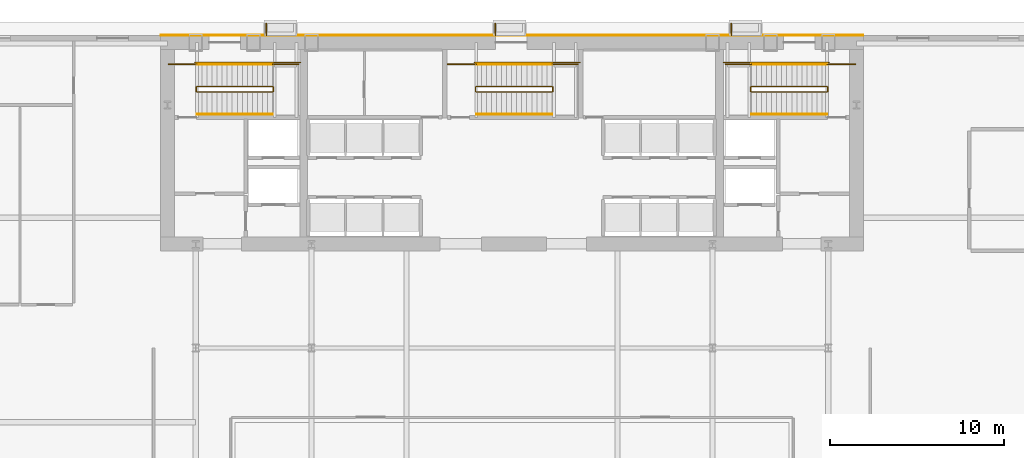
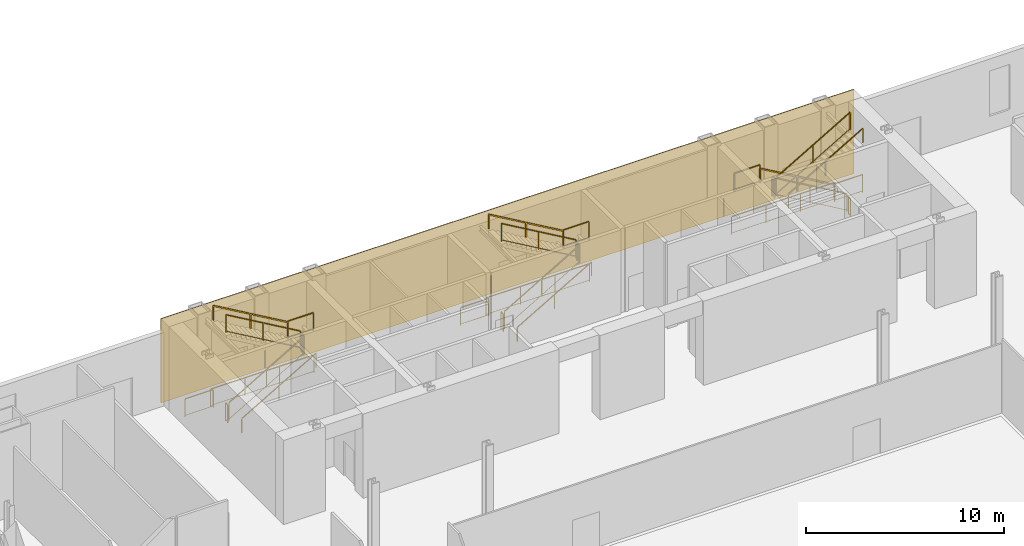
# One storey, part 14 of 16: 30 railings, 1 covering, 3 elements without a shape of their own.
"""IFC4 building model written with IfcOpenShell, lengths in metres."""

from ifc_helpers import new_model, si_unit, direction, frame, origin, origin_2d, place, context, subcontext, project, spatial, polyline, rectangle, outline, extrude, material, layer, layer_set, type_object, element, aggregate, save


model = new_model("IFC4")

# Units and contexts
model_context = context("Model", 3, precision=1e-05, world=origin(), true_north=direction((0.0, 1.0)))
body_context = subcontext(model_context, "Body", "Model", "MODEL_VIEW")
ifc_project = project(units=[si_unit("LENGTHUNIT", "METRE"), si_unit("AREAUNIT", "SQUARE_METRE"), si_unit("VOLUMEUNIT", "CUBIC_METRE"), si_unit("PLANEANGLEUNIT", "RADIAN"), si_unit("MASSUNIT", "GRAM", prefix="KILO")], contexts=[model_context])

# Site, building, storey
site_placement = place(None, origin())
site = spatial("IfcSite", under=ifc_project, at=site_placement, CompositionType="ELEMENT")
building_placement = place(site_placement, origin())
building = spatial("IfcBuilding", under=site, at=building_placement, Name="Khoronbel Lancet Exchange", CompositionType="ELEMENT")
storey_placement = place(building_placement, origin())
storey = spatial("IfcBuildingStorey", under=building, at=storey_placement, Name="L00", CompositionType="ELEMENT", Elevation=0.0)

# Covering
ifc_material_1 = material(Name="Honed Egyptian Limestone & Bronze Rainscreen", Category="masonry")
ifc_layer = layer(ifc_material_1, 0.050048828125, Name="Honed Egyptian Limestone & Bronze Rainscreen")
ifc_layer_set = layer_set([ifc_layer], Name="Honed Egyptian Limestone & Bronze Rainscreen")
covering_type = type_object("IfcCoveringType", Name="COV-CLAD1", PredefinedType="CLADDING", material=ifc_layer_set)
covering_placement = place(storey_placement, origin())
element("IfcCovering", 1, at=covering_placement, inside=storey, type_object=covering_type, Name="Level L00 north rear-core stone and bronze rainscreen cladding", PredefinedType="CLADDING", context=body_context, shape_type="SweptSolid", body=[
    extrude(outline(polyline([(16.199951171875, 53.699951171875), (56.699951171875, 53.699951171875), (56.699951171875, 53.75), (16.199951171875, 53.75), (16.199951171875, 53.699951171875)])), origin(), (0.0, 0.0, 1.0), 5.199951171875),
])

# Ramp, railing
ifc_material_2 = material(Name="Concrete C40/50", Category="concrete")
ramp_type = type_object("IfcRampType", Name="RMP-PED", PredefinedType="STRAIGHT_RUN_RAMP", material=ifc_material_2)
ramp_1_placement = place(storey_placement, origin())
ramp_1 = element("IfcRamp", 2, at=ramp_1_placement, inside=storey, type_object=ramp_type, Name="Plaza step-free accessible entrance ramp R4", PredefinedType="STRAIGHT_RUN_RAMP")
ifc_material_3 = material(Name="Bronze-Anodised Stainless Steel", Category="steel")
railing_type_1 = type_object("IfcRailingType", Name="RL-EXT115", PredefinedType="GUARDRAIL", material=ifc_material_3)
railing_1_placement = place(storey_placement, frame((22.280029296875, 54.39990234375, -0.06005859375)))
railing_1 = element("IfcRailing", 3, at=railing_1_placement, type_object=railing_type_1, Name="Plaza accessible ramp guardrail R4", PredefinedType="GUARDRAIL", context=body_context, shape_type="SweptSolid", body=[
    extrude(rectangle(XDim=0.052001953125, YDim=0.052001953125, at=origin_2d()), frame((0.0, 0.0, 1.1240234375), z_axis=(0.0, -0.996339041339, 0.085489851472), x_axis=(1.0, 0.0, 0.0)), (0.0, 0.0, 1.0), 0.70263671875),
    extrude(rectangle(XDim=0.02587890625, YDim=0.02587890625, at=origin_2d()), frame((0.0, 0.0, 0.080078125), z_axis=(0.0, -0.996339041339, 0.085489851472), x_axis=(1.0, 0.0, 0.0)), (0.0, 0.0, 1.0), 0.70263671875),
    extrude(rectangle(XDim=0.0419921875, YDim=0.0419921875, at=origin_2d()), origin(), (0.0, 0.0, 1.0), 1.097900390625),
    extrude(rectangle(XDim=0.0419921875, YDim=0.0419921875, at=origin_2d()), frame((0.0, -0.699951171875, 0.06005859375)), (0.0, 0.0, 1.0), 1.097900390625),
])
aggregate(ramp_1, [railing_1])

ramp_2_placement = place(storey_placement, origin())
ramp_2 = element("IfcRamp", 4, at=ramp_2_placement, inside=storey, type_object=ramp_type, Name="Plaza step-free accessible entrance ramp R5", PredefinedType="STRAIGHT_RUN_RAMP")
railing_2_placement = place(storey_placement, frame((35.47998046875, 54.39990234375, -0.06005859375)))
railing_2 = element("IfcRailing", 5, at=railing_2_placement, type_object=railing_type_1, Name="Plaza accessible ramp guardrail R5", PredefinedType="GUARDRAIL", context=body_context, shape_type="SweptSolid", body=[
    extrude(rectangle(XDim=0.052001953125, YDim=0.052001953125, at=origin_2d()), frame((0.0, 0.0, 1.1240234375), z_axis=(0.0, -0.996339041339, 0.085489851472), x_axis=(1.0, 0.0, 0.0)), (0.0, 0.0, 1.0), 0.70263671875),
    extrude(rectangle(XDim=0.02587890625, YDim=0.02587890625, at=origin_2d()), frame((0.0, 0.0, 0.080078125), z_axis=(0.0, -0.996339041339, 0.085489851472), x_axis=(1.0, 0.0, 0.0)), (0.0, 0.0, 1.0), 0.70263671875),
    extrude(rectangle(XDim=0.0419921875, YDim=0.0419921875, at=origin_2d()), origin(), (0.0, 0.0, 1.0), 1.097900390625),
    extrude(rectangle(XDim=0.0419921875, YDim=0.0419921875, at=origin_2d()), frame((0.0, -0.699951171875, 0.06005859375)), (0.0, 0.0, 1.0), 1.097900390625),
])
aggregate(ramp_2, [railing_2])

ramp_3_placement = place(storey_placement, origin())
ramp_3 = element("IfcRamp", 6, at=ramp_3_placement, inside=storey, type_object=ramp_type, Name="Plaza step-free accessible entrance ramp R6", PredefinedType="STRAIGHT_RUN_RAMP")
railing_3_placement = place(storey_placement, frame((49.080078125, 54.39990234375, -0.06005859375)))
railing_3 = element("IfcRailing", 7, at=railing_3_placement, type_object=railing_type_1, Name="Plaza accessible ramp guardrail R6", PredefinedType="GUARDRAIL", context=body_context, shape_type="SweptSolid", body=[
    extrude(rectangle(XDim=0.052001953125, YDim=0.052001953125, at=origin_2d()), frame((0.0, 0.0, 1.1240234375), z_axis=(0.0, -0.996339041339, 0.085489851472), x_axis=(1.0, 0.0, 0.0)), (0.0, 0.0, 1.0), 0.70263671875),
    extrude(rectangle(XDim=0.02587890625, YDim=0.02587890625, at=origin_2d()), frame((0.0, 0.0, 0.080078125), z_axis=(0.0, -0.996339041339, 0.085489851472), x_axis=(1.0, 0.0, 0.0)), (0.0, 0.0, 1.0), 0.70263671875),
    extrude(rectangle(XDim=0.0419921875, YDim=0.0419921875, at=origin_2d()), origin(), (0.0, 0.0, 1.0), 1.097900390625),
    extrude(rectangle(XDim=0.0419921875, YDim=0.0419921875, at=origin_2d()), frame((0.0, -0.699951171875, 0.06005859375)), (0.0, 0.0, 1.0), 1.097900390625),
])
aggregate(ramp_3, [railing_3])

# Railings
ifc_material_4 = material(Name="Painted Steel Balustrade", Category="steel")
railing_type_2 = type_object("IfcRailingType", Name="RL-STG110", PredefinedType="GUARDRAIL", material=ifc_material_4)
railing_4_placement = place(storey_placement, frame((18.300048828125, 50.449951171875, 0.168701171875)))
element("IfcRailing", 8, at=railing_4_placement, inside=storey, type_object=railing_type_2, Name="L00 ST1 stair guard 1", PredefinedType="GUARDRAIL", context=body_context, shape_type="SweptSolid", body=[
    extrude(rectangle(XDim=0.048095703125, YDim=0.048095703125, at=origin_2d()), frame((0.0, 0.0, 1.09619140625), z_axis=(0.864311530196, 0.0, 0.502956835891), x_axis=(0.0, 1.0, 0.0)), (0.0, 0.0, 1.0), 5.03271484375),
    extrude(rectangle(XDim=0.02392578125, YDim=0.02392578125, at=origin_2d()), frame((0.0, 0.0, 0.080078125), z_axis=(0.864311530196, 0.0, 0.502956835891), x_axis=(0.0, 1.0, 0.0)), (0.0, 0.0, 1.0), 5.03271484375),
    extrude(rectangle(XDim=0.0419921875, YDim=0.0419921875, at=origin_2d()), origin(), (0.0, 0.0, 1.0), 1.072021484375),
    extrude(rectangle(XDim=0.0419921875, YDim=0.0419921875, at=origin_2d()), frame((2.1748046875, 0.0, 1.265625)), (0.0, 0.0, 1.0), 1.072021484375),
    extrude(rectangle(XDim=0.0419921875, YDim=0.0419921875, at=origin_2d()), frame((4.349853515625, 0.0, 2.53125)), (0.0, 0.0, 1.0), 1.072021484375),
])
railing_5_placement = place(storey_placement, frame((22.699951171875, 50.5, 2.699951171875)))
element("IfcRailing", 9, at=railing_5_placement, inside=storey, type_object=railing_type_2, Name="L00 ST1 stair guard 2", PredefinedType="GUARDRAIL", context=body_context, shape_type="SweptSolid", body=[
    extrude(rectangle(XDim=0.048095703125, YDim=0.048095703125, at=origin_2d()), frame((0.0, 0.0, 1.09619140625), z_axis=(0.0, 1.0, 0.0), x_axis=(-1.0, 0.0, 0.0)), (0.0, 0.0, 1.0), 0.219970703125),
    extrude(rectangle(XDim=0.02392578125, YDim=0.02392578125, at=origin_2d()), frame((0.0, 0.0, 0.080078125), z_axis=(0.0, 1.0, 0.0), x_axis=(-1.0, 0.0, 0.0)), (0.0, 0.0, 1.0), 0.219970703125),
    extrude(rectangle(XDim=0.0419921875, YDim=0.0419921875, at=origin_2d()), origin(), (0.0, 0.0, 1.0), 1.072021484375),
    extrude(rectangle(XDim=0.0419921875, YDim=0.0419921875, at=origin_2d()), frame((0.0, 0.219970703125, 0.0)), (0.0, 0.0, 1.0), 1.072021484375),
])
railing_6_placement = place(storey_placement, frame((22.64990234375, 52.050048828125, 2.699951171875)))
element("IfcRailing", 10, at=railing_6_placement, inside=storey, type_object=railing_type_2, Name="L00 ST1 stair guard 3", PredefinedType="GUARDRAIL", context=body_context, shape_type="SweptSolid", body=[
    extrude(rectangle(XDim=0.048095703125, YDim=0.048095703125, at=origin_2d()), frame((0.0, 0.0, 1.09619140625), z_axis=(1.0, 0.0, 0.0), x_axis=(0.0, 1.0, 0.0)), (0.0, 0.0, 1.0), 1.5),
    extrude(rectangle(XDim=0.02392578125, YDim=0.02392578125, at=origin_2d()), frame((0.0, 0.0, 0.080078125), z_axis=(1.0, 0.0, 0.0), x_axis=(0.0, 1.0, 0.0)), (0.0, 0.0, 1.0), 1.5),
    extrude(rectangle(XDim=0.0419921875, YDim=0.0419921875, at=origin_2d()), origin(), (0.0, 0.0, 1.0), 1.072021484375),
    extrude(rectangle(XDim=0.0419921875, YDim=0.0419921875, at=origin_2d()), frame((1.5, 0.0, 0.0)), (0.0, 0.0, 1.0), 1.072021484375),
])
railing_7_placement = place(storey_placement, frame((22.64990234375, 50.77001953125, 2.86865234375)))
element("IfcRailing", 11, at=railing_7_placement, inside=storey, type_object=railing_type_2, Name="L00 ST1 stair guard 4", PredefinedType="GUARDRAIL", context=body_context, shape_type="SweptSolid", body=[
    extrude(rectangle(XDim=0.048095703125, YDim=0.048095703125, at=origin_2d()), frame((0.0, 0.0, 1.09619140625), z_axis=(-0.864311530196, 0.0, 0.502956835891), x_axis=(0.0, -1.0, 0.0)), (0.0, 0.0, 1.0), 5.03271484375),
    extrude(rectangle(XDim=0.02392578125, YDim=0.02392578125, at=origin_2d()), frame((0.0, 0.0, 0.080078125), z_axis=(-0.864311530196, 0.0, 0.502956835891), x_axis=(0.0, -1.0, 0.0)), (0.0, 0.0, 1.0), 5.03271484375),
    extrude(rectangle(XDim=0.0419921875, YDim=0.0419921875, at=origin_2d()), origin(), (0.0, 0.0, 1.0), 1.072021484375),
    extrude(rectangle(XDim=0.0419921875, YDim=0.0419921875, at=origin_2d()), frame((-2.1748046875, 0.0, 1.265625)), (0.0, 0.0, 1.0), 1.072021484375),
    extrude(rectangle(XDim=0.0419921875, YDim=0.0419921875, at=origin_2d()), frame((-4.349853515625, 0.0, 2.53125)), (0.0, 0.0, 1.0), 1.072021484375),
])
railing_8_placement = place(storey_placement, frame((18.25, 50.5, 0.0)))
element("IfcRailing", 12, at=railing_8_placement, inside=storey, type_object=railing_type_2, Name="L00 ST1 stair guard 5", PredefinedType="GUARDRAIL", context=body_context, shape_type="SweptSolid", body=[
    extrude(rectangle(XDim=0.048095703125, YDim=0.048095703125, at=origin_2d()), frame((0.0, 0.0, 1.09619140625), z_axis=(0.0, 1.0, 0.0), x_axis=(-1.0, 0.0, 0.0)), (0.0, 0.0, 1.0), 0.219970703125),
    extrude(rectangle(XDim=0.02392578125, YDim=0.02392578125, at=origin_2d()), frame((0.0, 0.0, 0.080078125), z_axis=(0.0, 1.0, 0.0), x_axis=(-1.0, 0.0, 0.0)), (0.0, 0.0, 1.0), 0.219970703125),
    extrude(rectangle(XDim=0.0419921875, YDim=0.0419921875, at=origin_2d()), origin(), (0.0, 0.0, 1.0), 1.072021484375),
    extrude(rectangle(XDim=0.0419921875, YDim=0.0419921875, at=origin_2d()), frame((0.0, 0.219970703125, 0.0)), (0.0, 0.0, 1.0), 1.072021484375),
])
railing_9_placement = place(storey_placement, frame((16.64990234375, 52.050048828125, 0.0)))
element("IfcRailing", 13, at=railing_9_placement, inside=storey, type_object=railing_type_2, Name="L00 ST1 stair guard 6", PredefinedType="GUARDRAIL", context=body_context, shape_type="SweptSolid", body=[
    extrude(rectangle(XDim=0.048095703125, YDim=0.048095703125, at=origin_2d()), frame((0.0, 0.0, 1.09619140625), z_axis=(1.0, 0.0, 0.0), x_axis=(0.0, 1.0, 0.0)), (0.0, 0.0, 1.0), 1.650146484375),
    extrude(rectangle(XDim=0.02392578125, YDim=0.02392578125, at=origin_2d()), frame((0.0, 0.0, 0.080078125), z_axis=(1.0, 0.0, 0.0), x_axis=(0.0, 1.0, 0.0)), (0.0, 0.0, 1.0), 1.650146484375),
    extrude(rectangle(XDim=0.0419921875, YDim=0.0419921875, at=origin_2d()), origin(), (0.0, 0.0, 1.0), 1.072021484375),
    extrude(rectangle(XDim=0.0419921875, YDim=0.0419921875, at=origin_2d()), frame((1.650146484375, 0.0, 0.0)), (0.0, 0.0, 1.0), 1.072021484375),
])
railing_10_placement = place(storey_placement, frame((18.199951171875, 52.14990234375, 0.0)))
element("IfcRailing", 14, at=railing_10_placement, inside=storey, type_object=railing_type_2, Name="L00 ST1 stair guard 7", PredefinedType="GUARDRAIL", context=body_context, shape_type="SweptSolid", body=[
    extrude(rectangle(XDim=0.048095703125, YDim=0.048095703125, at=origin_2d()), frame((0.0, 0.0, 1.09619140625), z_axis=(1.0, 0.0, 0.0), x_axis=(0.0, 1.0, 0.0)), (0.0, 0.0, 1.0), 6.050048828125),
    extrude(rectangle(XDim=0.02392578125, YDim=0.02392578125, at=origin_2d()), frame((0.0, 0.0, 0.080078125), z_axis=(1.0, 0.0, 0.0), x_axis=(0.0, 1.0, 0.0)), (0.0, 0.0, 1.0), 6.050048828125),
    extrude(rectangle(XDim=0.0419921875, YDim=0.0419921875, at=origin_2d()), origin(), (0.0, 0.0, 1.0), 1.072021484375),
    extrude(rectangle(XDim=0.0419921875, YDim=0.0419921875, at=origin_2d()), frame((2.0166015625, 0.0, 0.0)), (0.0, 0.0, 1.0), 1.072021484375),
    extrude(rectangle(XDim=0.0419921875, YDim=0.0419921875, at=origin_2d()), frame((4.033447265625, 0.0, 0.0)), (0.0, 0.0, 1.0), 1.072021484375),
    extrude(rectangle(XDim=0.0419921875, YDim=0.0419921875, at=origin_2d()), frame((6.050048828125, 0.0, 0.0)), (0.0, 0.0, 1.0), 1.072021484375),
])
railing_11_placement = place(storey_placement, frame((54.60009765625, 50.77001953125, 0.168701171875)))
element("IfcRailing", 15, at=railing_11_placement, inside=storey, type_object=railing_type_2, Name="L00 ST2 stair guard 1", PredefinedType="GUARDRAIL", context=body_context, shape_type="SweptSolid", body=[
    extrude(rectangle(XDim=0.048095703125, YDim=0.048095703125, at=origin_2d()), frame((0.0, 0.0, 1.09619140625), z_axis=(-0.864323800911, 0.0, 0.50293574856), x_axis=(0.0, -1.0, 0.0)), (0.0, 0.0, 1.0), 5.032958984375),
    extrude(rectangle(XDim=0.02392578125, YDim=0.02392578125, at=origin_2d()), frame((0.0, 0.0, 0.080078125), z_axis=(-0.864323800911, 0.0, 0.50293574856), x_axis=(0.0, -1.0, 0.0)), (0.0, 0.0, 1.0), 5.032958984375),
    extrude(rectangle(XDim=0.0419921875, YDim=0.0419921875, at=origin_2d()), origin(), (0.0, 0.0, 1.0), 1.072021484375),
    extrude(rectangle(XDim=0.0419921875, YDim=0.0419921875, at=origin_2d()), frame((-2.175048828125, 0.0, 1.265625)), (0.0, 0.0, 1.0), 1.072021484375),
    extrude(rectangle(XDim=0.0419921875, YDim=0.0419921875, at=origin_2d()), frame((-4.35009765625, 0.0, 2.53125)), (0.0, 0.0, 1.0), 1.072021484375),
])
railing_12_placement = place(storey_placement, frame((50.199951171875, 50.719970703125, 2.699951171875)))
element("IfcRailing", 16, at=railing_12_placement, inside=storey, type_object=railing_type_2, Name="L00 ST2 stair guard 2", PredefinedType="GUARDRAIL", context=body_context, shape_type="SweptSolid", body=[
    extrude(rectangle(XDim=0.048095703125, YDim=0.048095703125, at=origin_2d()), frame((0.0, 0.0, 1.09619140625), z_axis=(0.0, -1.0, 0.0), x_axis=(1.0, 0.0, 0.0)), (0.0, 0.0, 1.0), 0.219970703125),
    extrude(rectangle(XDim=0.02392578125, YDim=0.02392578125, at=origin_2d()), frame((0.0, 0.0, 0.080078125), z_axis=(0.0, -1.0, 0.0), x_axis=(1.0, 0.0, 0.0)), (0.0, 0.0, 1.0), 0.219970703125),
    extrude(rectangle(XDim=0.0419921875, YDim=0.0419921875, at=origin_2d()), origin(), (0.0, 0.0, 1.0), 1.072021484375),
    extrude(rectangle(XDim=0.0419921875, YDim=0.0419921875, at=origin_2d()), frame((0.0, -0.219970703125, 0.0)), (0.0, 0.0, 1.0), 1.072021484375),
])
railing_13_placement = place(storey_placement, frame((50.25, 52.050048828125, 2.699951171875)))
element("IfcRailing", 17, at=railing_13_placement, inside=storey, type_object=railing_type_2, Name="L00 ST2 stair guard 3", PredefinedType="GUARDRAIL", context=body_context, shape_type="SweptSolid", body=[
    extrude(rectangle(XDim=0.048095703125, YDim=0.048095703125, at=origin_2d()), frame((0.0, 0.0, 1.09619140625), z_axis=(-1.0, 0.0, 0.0), x_axis=(0.0, -1.0, 0.0)), (0.0, 0.0, 1.0), 1.5),
    extrude(rectangle(XDim=0.02392578125, YDim=0.02392578125, at=origin_2d()), frame((0.0, 0.0, 0.080078125), z_axis=(-1.0, 0.0, 0.0), x_axis=(0.0, -1.0, 0.0)), (0.0, 0.0, 1.0), 1.5),
    extrude(rectangle(XDim=0.0419921875, YDim=0.0419921875, at=origin_2d()), origin(), (0.0, 0.0, 1.0), 1.072021484375),
    extrude(rectangle(XDim=0.0419921875, YDim=0.0419921875, at=origin_2d()), frame((-1.5, 0.0, 0.0)), (0.0, 0.0, 1.0), 1.072021484375),
])
railing_14_placement = place(storey_placement, frame((50.25, 50.449951171875, 2.86865234375)))
element("IfcRailing", 18, at=railing_14_placement, inside=storey, type_object=railing_type_2, Name="L00 ST2 stair guard 4", PredefinedType="GUARDRAIL", context=body_context, shape_type="SweptSolid", body=[
    extrude(rectangle(XDim=0.048095703125, YDim=0.048095703125, at=origin_2d()), frame((0.0, 0.0, 1.09619140625), z_axis=(0.864323800911, 0.0, 0.50293574856), x_axis=(0.0, 1.0, 0.0)), (0.0, 0.0, 1.0), 5.032958984375),
    extrude(rectangle(XDim=0.02392578125, YDim=0.02392578125, at=origin_2d()), frame((0.0, 0.0, 0.080078125), z_axis=(0.864323800911, 0.0, 0.50293574856), x_axis=(0.0, 1.0, 0.0)), (0.0, 0.0, 1.0), 5.032958984375),
    extrude(rectangle(XDim=0.0419921875, YDim=0.0419921875, at=origin_2d()), origin(), (0.0, 0.0, 1.0), 1.072021484375),
    extrude(rectangle(XDim=0.0419921875, YDim=0.0419921875, at=origin_2d()), frame((2.175048828125, 0.0, 1.265625)), (0.0, 0.0, 1.0), 1.072021484375),
    extrude(rectangle(XDim=0.0419921875, YDim=0.0419921875, at=origin_2d()), frame((4.35009765625, 0.0, 2.53125)), (0.0, 0.0, 1.0), 1.072021484375),
])
railing_15_placement = place(storey_placement, frame((54.64990234375, 50.719970703125, 0.0)))
element("IfcRailing", 19, at=railing_15_placement, inside=storey, type_object=railing_type_2, Name="L00 ST2 stair guard 5", PredefinedType="GUARDRAIL", context=body_context, shape_type="SweptSolid", body=[
    extrude(rectangle(XDim=0.048095703125, YDim=0.048095703125, at=origin_2d()), frame((0.0, 0.0, 1.09619140625), z_axis=(0.0, -1.0, 0.0), x_axis=(1.0, 0.0, 0.0)), (0.0, 0.0, 1.0), 0.219970703125),
    extrude(rectangle(XDim=0.02392578125, YDim=0.02392578125, at=origin_2d()), frame((0.0, 0.0, 0.080078125), z_axis=(0.0, -1.0, 0.0), x_axis=(1.0, 0.0, 0.0)), (0.0, 0.0, 1.0), 0.219970703125),
    extrude(rectangle(XDim=0.0419921875, YDim=0.0419921875, at=origin_2d()), origin(), (0.0, 0.0, 1.0), 1.072021484375),
    extrude(rectangle(XDim=0.0419921875, YDim=0.0419921875, at=origin_2d()), frame((0.0, -0.219970703125, 0.0)), (0.0, 0.0, 1.0), 1.072021484375),
])
railing_16_placement = place(storey_placement, frame((56.25, 52.050048828125, 0.0)))
element("IfcRailing", 20, at=railing_16_placement, inside=storey, type_object=railing_type_2, Name="L00 ST2 stair guard 6", PredefinedType="GUARDRAIL", context=body_context, shape_type="SweptSolid", body=[
    extrude(rectangle(XDim=0.048095703125, YDim=0.048095703125, at=origin_2d()), frame((0.0, 0.0, 1.09619140625), z_axis=(-1.0, 0.0, 0.0), x_axis=(0.0, -1.0, 0.0)), (0.0, 0.0, 1.0), 1.64990234375),
    extrude(rectangle(XDim=0.02392578125, YDim=0.02392578125, at=origin_2d()), frame((0.0, 0.0, 0.080078125), z_axis=(-1.0, 0.0, 0.0), x_axis=(0.0, -1.0, 0.0)), (0.0, 0.0, 1.0), 1.64990234375),
    extrude(rectangle(XDim=0.0419921875, YDim=0.0419921875, at=origin_2d()), origin(), (0.0, 0.0, 1.0), 1.072021484375),
    extrude(rectangle(XDim=0.0419921875, YDim=0.0419921875, at=origin_2d()), frame((-1.64990234375, 0.0, 0.0)), (0.0, 0.0, 1.0), 1.072021484375),
])
railing_17_placement = place(storey_placement, frame((54.699951171875, 52.14990234375, 0.0)))
element("IfcRailing", 21, at=railing_17_placement, inside=storey, type_object=railing_type_2, Name="L00 ST2 stair guard 7", PredefinedType="GUARDRAIL", context=body_context, shape_type="SweptSolid", body=[
    extrude(rectangle(XDim=0.048095703125, YDim=0.048095703125, at=origin_2d()), frame((0.0, 0.0, 1.09619140625), z_axis=(-1.0, 0.0, 0.0), x_axis=(0.0, -1.0, 0.0)), (0.0, 0.0, 1.0), 6.050048828125),
    extrude(rectangle(XDim=0.02392578125, YDim=0.02392578125, at=origin_2d()), frame((0.0, 0.0, 0.080078125), z_axis=(-1.0, 0.0, 0.0), x_axis=(0.0, -1.0, 0.0)), (0.0, 0.0, 1.0), 6.050048828125),
    extrude(rectangle(XDim=0.0419921875, YDim=0.0419921875, at=origin_2d()), origin(), (0.0, 0.0, 1.0), 1.072021484375),
    extrude(rectangle(XDim=0.0419921875, YDim=0.0419921875, at=origin_2d()), frame((-2.0166015625, 0.0, 0.0)), (0.0, 0.0, 1.0), 1.072021484375),
    extrude(rectangle(XDim=0.0419921875, YDim=0.0419921875, at=origin_2d()), frame((-4.033447265625, 0.0, 0.0)), (0.0, 0.0, 1.0), 1.072021484375),
    extrude(rectangle(XDim=0.0419921875, YDim=0.0419921875, at=origin_2d()), frame((-6.050048828125, 0.0, 0.0)), (0.0, 0.0, 1.0), 1.072021484375),
])
railing_18_placement = place(storey_placement, frame((34.39990234375, 50.449951171875, 0.168701171875)))
element("IfcRailing", 22, at=railing_18_placement, inside=storey, type_object=railing_type_2, Name="L00 ST3 stair guard 1", PredefinedType="GUARDRAIL", context=body_context, shape_type="SweptSolid", body=[
    extrude(rectangle(XDim=0.048095703125, YDim=0.048095703125, at=origin_2d()), frame((0.0, 0.0, 1.09619140625), z_axis=(0.864323800911, 0.0, 0.50293574856), x_axis=(0.0, 1.0, 0.0)), (0.0, 0.0, 1.0), 5.032958984375),
    extrude(rectangle(XDim=0.02392578125, YDim=0.02392578125, at=origin_2d()), frame((0.0, 0.0, 0.080078125), z_axis=(0.864323800911, 0.0, 0.50293574856), x_axis=(0.0, 1.0, 0.0)), (0.0, 0.0, 1.0), 5.032958984375),
    extrude(rectangle(XDim=0.0419921875, YDim=0.0419921875, at=origin_2d()), origin(), (0.0, 0.0, 1.0), 1.072021484375),
    extrude(rectangle(XDim=0.0419921875, YDim=0.0419921875, at=origin_2d()), frame((2.175048828125, 0.0, 1.265625)), (0.0, 0.0, 1.0), 1.072021484375),
    extrude(rectangle(XDim=0.0419921875, YDim=0.0419921875, at=origin_2d()), frame((4.35009765625, 0.0, 2.53125)), (0.0, 0.0, 1.0), 1.072021484375),
])
railing_19_placement = place(storey_placement, frame((38.800048828125, 50.5, 2.699951171875)))
element("IfcRailing", 23, at=railing_19_placement, inside=storey, type_object=railing_type_2, Name="L00 ST3 stair guard 2", PredefinedType="GUARDRAIL", context=body_context, shape_type="SweptSolid", body=[
    extrude(rectangle(XDim=0.048095703125, YDim=0.048095703125, at=origin_2d()), frame((0.0, 0.0, 1.09619140625), z_axis=(0.0, 1.0, 0.0), x_axis=(-1.0, 0.0, 0.0)), (0.0, 0.0, 1.0), 0.219970703125),
    extrude(rectangle(XDim=0.02392578125, YDim=0.02392578125, at=origin_2d()), frame((0.0, 0.0, 0.080078125), z_axis=(0.0, 1.0, 0.0), x_axis=(-1.0, 0.0, 0.0)), (0.0, 0.0, 1.0), 0.219970703125),
    extrude(rectangle(XDim=0.0419921875, YDim=0.0419921875, at=origin_2d()), origin(), (0.0, 0.0, 1.0), 1.072021484375),
    extrude(rectangle(XDim=0.0419921875, YDim=0.0419921875, at=origin_2d()), frame((0.0, 0.219970703125, 0.0)), (0.0, 0.0, 1.0), 1.072021484375),
])
railing_20_placement = place(storey_placement, frame((38.75, 52.050048828125, 2.699951171875)))
element("IfcRailing", 24, at=railing_20_placement, inside=storey, type_object=railing_type_2, Name="L00 ST3 stair guard 3", PredefinedType="GUARDRAIL", context=body_context, shape_type="SweptSolid", body=[
    extrude(rectangle(XDim=0.048095703125, YDim=0.048095703125, at=origin_2d()), frame((0.0, 0.0, 1.09619140625), z_axis=(1.0, 0.0, 0.0), x_axis=(0.0, 1.0, 0.0)), (0.0, 0.0, 1.0), 1.5),
    extrude(rectangle(XDim=0.02392578125, YDim=0.02392578125, at=origin_2d()), frame((0.0, 0.0, 0.080078125), z_axis=(1.0, 0.0, 0.0), x_axis=(0.0, 1.0, 0.0)), (0.0, 0.0, 1.0), 1.5),
    extrude(rectangle(XDim=0.0419921875, YDim=0.0419921875, at=origin_2d()), origin(), (0.0, 0.0, 1.0), 1.072021484375),
    extrude(rectangle(XDim=0.0419921875, YDim=0.0419921875, at=origin_2d()), frame((1.5, 0.0, 0.0)), (0.0, 0.0, 1.0), 1.072021484375),
])
railing_21_placement = place(storey_placement, frame((38.75, 50.77001953125, 2.86865234375)))
element("IfcRailing", 25, at=railing_21_placement, inside=storey, type_object=railing_type_2, Name="L00 ST3 stair guard 4", PredefinedType="GUARDRAIL", context=body_context, shape_type="SweptSolid", body=[
    extrude(rectangle(XDim=0.048095703125, YDim=0.048095703125, at=origin_2d()), frame((0.0, 0.0, 1.09619140625), z_axis=(-0.864323800911, 0.0, 0.50293574856), x_axis=(0.0, -1.0, 0.0)), (0.0, 0.0, 1.0), 5.032958984375),
    extrude(rectangle(XDim=0.02392578125, YDim=0.02392578125, at=origin_2d()), frame((0.0, 0.0, 0.080078125), z_axis=(-0.864323800911, 0.0, 0.50293574856), x_axis=(0.0, -1.0, 0.0)), (0.0, 0.0, 1.0), 5.032958984375),
    extrude(rectangle(XDim=0.0419921875, YDim=0.0419921875, at=origin_2d()), origin(), (0.0, 0.0, 1.0), 1.072021484375),
    extrude(rectangle(XDim=0.0419921875, YDim=0.0419921875, at=origin_2d()), frame((-2.175048828125, 0.0, 1.265625)), (0.0, 0.0, 1.0), 1.072021484375),
    extrude(rectangle(XDim=0.0419921875, YDim=0.0419921875, at=origin_2d()), frame((-4.35009765625, 0.0, 2.53125)), (0.0, 0.0, 1.0), 1.072021484375),
])
railing_22_placement = place(storey_placement, frame((34.35009765625, 50.5, 0.0)))
element("IfcRailing", 26, at=railing_22_placement, inside=storey, type_object=railing_type_2, Name="L00 ST3 stair guard 5", PredefinedType="GUARDRAIL", context=body_context, shape_type="SweptSolid", body=[
    extrude(rectangle(XDim=0.048095703125, YDim=0.048095703125, at=origin_2d()), frame((0.0, 0.0, 1.09619140625), z_axis=(0.0, 1.0, 0.0), x_axis=(-1.0, 0.0, 0.0)), (0.0, 0.0, 1.0), 0.219970703125),
    extrude(rectangle(XDim=0.02392578125, YDim=0.02392578125, at=origin_2d()), frame((0.0, 0.0, 0.080078125), z_axis=(0.0, 1.0, 0.0), x_axis=(-1.0, 0.0, 0.0)), (0.0, 0.0, 1.0), 0.219970703125),
    extrude(rectangle(XDim=0.0419921875, YDim=0.0419921875, at=origin_2d()), origin(), (0.0, 0.0, 1.0), 1.072021484375),
    extrude(rectangle(XDim=0.0419921875, YDim=0.0419921875, at=origin_2d()), frame((0.0, 0.219970703125, 0.0)), (0.0, 0.0, 1.0), 1.072021484375),
])
railing_23_placement = place(storey_placement, frame((32.75, 52.050048828125, 0.0)))
element("IfcRailing", 27, at=railing_23_placement, inside=storey, type_object=railing_type_2, Name="L00 ST3 stair guard 6", PredefinedType="GUARDRAIL", context=body_context, shape_type="SweptSolid", body=[
    extrude(rectangle(XDim=0.048095703125, YDim=0.048095703125, at=origin_2d()), frame((0.0, 0.0, 1.09619140625), z_axis=(1.0, 0.0, 0.0), x_axis=(0.0, 1.0, 0.0)), (0.0, 0.0, 1.0), 1.64990234375),
    extrude(rectangle(XDim=0.02392578125, YDim=0.02392578125, at=origin_2d()), frame((0.0, 0.0, 0.080078125), z_axis=(1.0, 0.0, 0.0), x_axis=(0.0, 1.0, 0.0)), (0.0, 0.0, 1.0), 1.64990234375),
    extrude(rectangle(XDim=0.0419921875, YDim=0.0419921875, at=origin_2d()), origin(), (0.0, 0.0, 1.0), 1.072021484375),
    extrude(rectangle(XDim=0.0419921875, YDim=0.0419921875, at=origin_2d()), frame((1.64990234375, 0.0, 0.0)), (0.0, 0.0, 1.0), 1.072021484375),
])
railing_24_placement = place(storey_placement, frame((34.300048828125, 52.14990234375, 0.0)))
element("IfcRailing", 28, at=railing_24_placement, inside=storey, type_object=railing_type_2, Name="L00 ST3 stair guard 7", PredefinedType="GUARDRAIL", context=body_context, shape_type="SweptSolid", body=[
    extrude(rectangle(XDim=0.048095703125, YDim=0.048095703125, at=origin_2d()), frame((0.0, 0.0, 1.09619140625), z_axis=(1.0, 0.0, 0.0), x_axis=(0.0, 1.0, 0.0)), (0.0, 0.0, 1.0), 6.050048828125),
    extrude(rectangle(XDim=0.02392578125, YDim=0.02392578125, at=origin_2d()), frame((0.0, 0.0, 0.080078125), z_axis=(1.0, 0.0, 0.0), x_axis=(0.0, 1.0, 0.0)), (0.0, 0.0, 1.0), 6.050048828125),
    extrude(rectangle(XDim=0.0419921875, YDim=0.0419921875, at=origin_2d()), origin(), (0.0, 0.0, 1.0), 1.072021484375),
    extrude(rectangle(XDim=0.0419921875, YDim=0.0419921875, at=origin_2d()), frame((2.0166015625, 0.0, 0.0)), (0.0, 0.0, 1.0), 1.072021484375),
    extrude(rectangle(XDim=0.0419921875, YDim=0.0419921875, at=origin_2d()), frame((4.033447265625, 0.0, 0.0)), (0.0, 0.0, 1.0), 1.072021484375),
    extrude(rectangle(XDim=0.0419921875, YDim=0.0419921875, at=origin_2d()), frame((6.050048828125, 0.0, 0.0)), (0.0, 0.0, 1.0), 1.072021484375),
])
ifc_material_5 = material(Name="Brushed Stainless Steel 316", Category="steel")
railing_type_3 = type_object("IfcRailingType", Name="RL-STH92", PredefinedType="HANDRAIL", material=ifc_material_5)
railing_25_placement = place(storey_placement, frame((18.300048828125, 49.169921875, 0.168701171875)))
element("IfcRailing", 29, at=railing_25_placement, inside=storey, type_object=railing_type_3, Name="L00 ST1 stair handrail 1", PredefinedType="HANDRAIL", context=body_context, shape_type="SweptSolid", body=[
    extrude(rectangle(XDim=0.048095703125, YDim=0.048095703125, at=origin_2d()), frame((0.0, 0.0, 0.8759765625), z_axis=(0.864311530196, 0.0, 0.502956835891), x_axis=(0.0, 1.0, 0.0)), (0.0, 0.0, 1.0), 5.03271484375),
    extrude(rectangle(XDim=0.0419921875, YDim=0.0419921875, at=origin_2d()), origin(), (0.0, 0.0, 1.0), 0.851806640625),
    extrude(rectangle(XDim=0.0419921875, YDim=0.0419921875, at=origin_2d()), frame((2.1748046875, 0.0, 1.265625)), (0.0, 0.0, 1.0), 0.851806640625),
    extrude(rectangle(XDim=0.0419921875, YDim=0.0419921875, at=origin_2d()), frame((4.349853515625, 0.0, 2.53125)), (0.0, 0.0, 1.0), 0.851806640625),
])
railing_26_placement = place(storey_placement, frame((22.64990234375, 52.050048828125, 2.86865234375)))
element("IfcRailing", 30, at=railing_26_placement, inside=storey, type_object=railing_type_3, Name="L00 ST1 stair handrail 2", PredefinedType="HANDRAIL", context=body_context, shape_type="SweptSolid", body=[
    extrude(rectangle(XDim=0.048095703125, YDim=0.048095703125, at=origin_2d()), frame((0.0, 0.0, 0.8759765625), z_axis=(-0.864311530196, 0.0, 0.502956835891), x_axis=(0.0, -1.0, 0.0)), (0.0, 0.0, 1.0), 5.03271484375),
    extrude(rectangle(XDim=0.0419921875, YDim=0.0419921875, at=origin_2d()), origin(), (0.0, 0.0, 1.0), 0.851806640625),
    extrude(rectangle(XDim=0.0419921875, YDim=0.0419921875, at=origin_2d()), frame((-2.1748046875, 0.0, 1.265625)), (0.0, 0.0, 1.0), 0.851806640625),
    extrude(rectangle(XDim=0.0419921875, YDim=0.0419921875, at=origin_2d()), frame((-4.349853515625, 0.0, 2.53125)), (0.0, 0.0, 1.0), 0.851806640625),
])
railing_27_placement = place(storey_placement, frame((54.60009765625, 52.050048828125, 0.168701171875)))
element("IfcRailing", 31, at=railing_27_placement, inside=storey, type_object=railing_type_3, Name="L00 ST2 stair handrail 1", PredefinedType="HANDRAIL", context=body_context, shape_type="SweptSolid", body=[
    extrude(rectangle(XDim=0.048095703125, YDim=0.048095703125, at=origin_2d()), frame((0.0, 0.0, 0.8759765625), z_axis=(-0.864323800911, 0.0, 0.50293574856), x_axis=(0.0, -1.0, 0.0)), (0.0, 0.0, 1.0), 5.032958984375),
    extrude(rectangle(XDim=0.0419921875, YDim=0.0419921875, at=origin_2d()), origin(), (0.0, 0.0, 1.0), 0.851806640625),
    extrude(rectangle(XDim=0.0419921875, YDim=0.0419921875, at=origin_2d()), frame((-2.175048828125, 0.0, 1.265625)), (0.0, 0.0, 1.0), 0.851806640625),
    extrude(rectangle(XDim=0.0419921875, YDim=0.0419921875, at=origin_2d()), frame((-4.35009765625, 0.0, 2.53125)), (0.0, 0.0, 1.0), 0.851806640625),
])
for number, where, name in (
    (32, (50.25, 49.169921875, 2.86865234375), "L00 ST2 stair handrail 2"),
    (33, (34.39990234375, 49.169921875, 0.168701171875), "L00 ST3 stair handrail 1"),
):
    element("IfcRailing", number, at=place(storey_placement, frame(where)), inside=storey, type_object=railing_type_3, Name=name, PredefinedType="HANDRAIL", context=body_context, shape_type="SweptSolid", body=[
        extrude(rectangle(XDim=0.048095703125, YDim=0.048095703125, at=origin_2d()), frame((0.0, 0.0, 0.8759765625), z_axis=(0.864323800911, 0.0, 0.50293574856), x_axis=(0.0, 1.0, 0.0)), (0.0, 0.0, 1.0), 5.032958984375),
        extrude(rectangle(XDim=0.0419921875, YDim=0.0419921875, at=origin_2d()), origin(), (0.0, 0.0, 1.0), 0.851806640625),
        extrude(rectangle(XDim=0.0419921875, YDim=0.0419921875, at=origin_2d()), frame((2.175048828125, 0.0, 1.265625)), (0.0, 0.0, 1.0), 0.851806640625),
        extrude(rectangle(XDim=0.0419921875, YDim=0.0419921875, at=origin_2d()), frame((4.35009765625, 0.0, 2.53125)), (0.0, 0.0, 1.0), 0.851806640625),
    ])
railing_28_placement = place(storey_placement, frame((38.75, 52.050048828125, 2.86865234375)))
element("IfcRailing", 34, at=railing_28_placement, inside=storey, type_object=railing_type_3, Name="L00 ST3 stair handrail 2", PredefinedType="HANDRAIL", context=body_context, shape_type="SweptSolid", body=[
    extrude(rectangle(XDim=0.048095703125, YDim=0.048095703125, at=origin_2d()), frame((0.0, 0.0, 0.8759765625), z_axis=(-0.864323800911, 0.0, 0.50293574856), x_axis=(0.0, -1.0, 0.0)), (0.0, 0.0, 1.0), 5.032958984375),
    extrude(rectangle(XDim=0.0419921875, YDim=0.0419921875, at=origin_2d()), origin(), (0.0, 0.0, 1.0), 0.851806640625),
    extrude(rectangle(XDim=0.0419921875, YDim=0.0419921875, at=origin_2d()), frame((-2.175048828125, 0.0, 1.265625)), (0.0, 0.0, 1.0), 0.851806640625),
    extrude(rectangle(XDim=0.0419921875, YDim=0.0419921875, at=origin_2d()), frame((-4.35009765625, 0.0, 2.53125)), (0.0, 0.0, 1.0), 0.851806640625),
])

save(model, "model.ifc")
